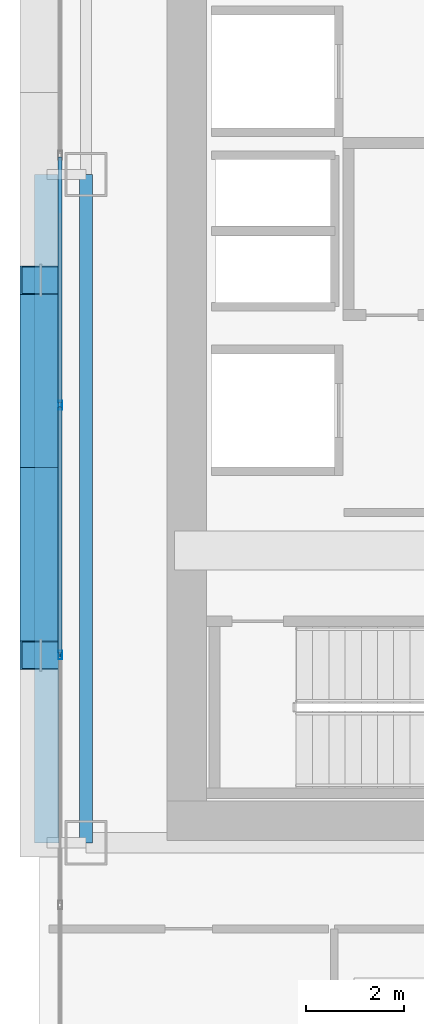
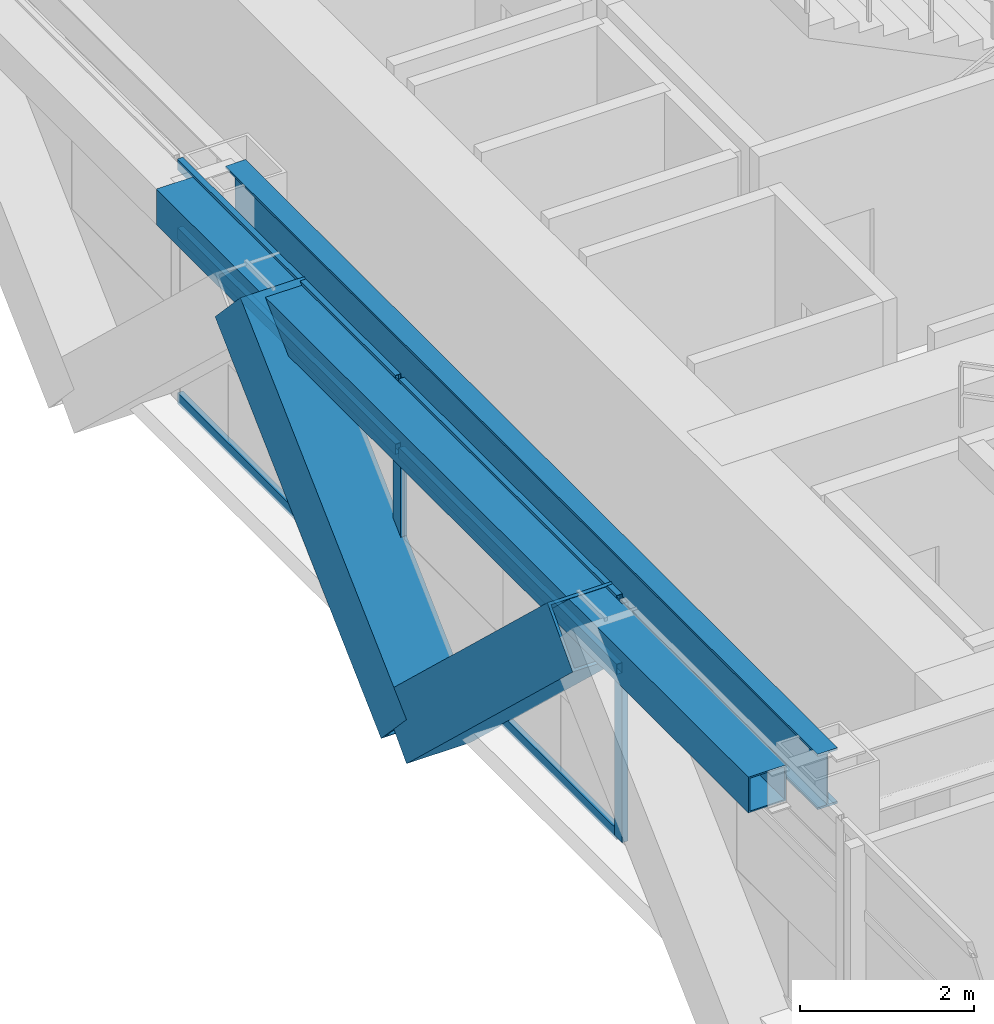
# One storey, part 6 of 35: 10 members, 2 beams, 1 element without a shape of its own.
"""IFC4 building model written with IfcOpenShell, lengths in metres."""

from ifc_helpers import new_model, si_unit, direction, frame, origin, origin_2d, place, context, subcontext, project, spatial, hollow_rectangle, i_section, extrude, source, transform, mapped, material, layer, layer_set, material_profile, profile_set, type_object, element, aggregate, save


model = new_model("IFC4")

# Units and contexts
model_context = context("Model", 3, precision=1e-05, world=origin(), true_north=direction((0.0, 1.0)))
body_context = subcontext(model_context, "Body", "Model", "MODEL_VIEW")
ifc_project = project(units=[si_unit("LENGTHUNIT", "METRE"), si_unit("AREAUNIT", "SQUARE_METRE"), si_unit("VOLUMEUNIT", "CUBIC_METRE"), si_unit("PLANEANGLEUNIT", "RADIAN"), si_unit("MASSUNIT", "GRAM", prefix="KILO")], contexts=[model_context])

# Site, building, storey
site_placement = place(None, origin())
site = spatial("IfcSite", under=ifc_project, at=site_placement, CompositionType="ELEMENT")
building_placement = place(site_placement, origin())
building = spatial("IfcBuilding", under=site, at=building_placement, Name="Ocotamira Hotel", CompositionType="ELEMENT")
storey_placement = place(building_placement, frame((0.0, 0.0, 70.800048828125)))
storey = spatial("IfcBuildingStorey", under=building, at=storey_placement, Name="L17", CompositionType="ELEMENT", Elevation=70.800048828125)

# Beams
ifc_material_1 = material(Name="Steel ASTM A992 Grade 50", Category="steel")
ifc_material_profile_1 = material_profile(ifc_material_1, i_section(OverallWidth=0.26611328125, OverallDepth=0.779052734375, WebThickness=0.0166015625, FlangeThickness=0.030029296875, FilletRadius=0.01806640625, at=origin_2d()), Name="W30X148")
ifc_profile_set_1 = profile_set([ifc_material_profile_1], Name="Steel ASTM A992 Grade 50")
beam_type_1 = type_object("IfcBeamType", Name="BM-GIRD-W30X148", PredefinedType="BEAM", material=ifc_profile_set_1)
shared_shape_1 = source(origin(), body_context, "Body", "SweptSolid", [
    extrude(i_section(OverallWidth=0.26611328125, OverallDepth=0.779052734375, WebThickness=0.0166015625, FlangeThickness=0.030029296875, FilletRadius=0.01806640625, at=origin_2d()), origin(), (0.0, 0.0, 1.0), 13.599853515625),
])
beam_1_placement = place(storey_placement, frame((8.949951171875, 14.550048828125, 2.96044921875), z_axis=(0.0, 1.0, 0.0), x_axis=(-1.0, 0.0, 0.0)))
element("IfcBeam", 1, at=beam_1_placement, inside=storey, type_object=beam_type_1, Name="L17 Beam X8.95 Y14.55-28.15", PredefinedType="BEAM", context=body_context, shape_type="MappedRepresentation", body=[
    mapped(shared_shape_1, transform((0.0, 0.0, 0.0), scale=1.0)),
])
ifc_material_2 = material(Name="Steel ASTM A500 Grade C", Category="steel")
ifc_material_profile_2 = material_profile(ifc_material_2, hollow_rectangle(XDim=0.5, YDim=0.5, WallThickness=0.02001953125, at=origin_2d()), Name="HSS500X500X20")
ifc_profile_set_2 = profile_set([ifc_material_profile_2], Name="Steel ASTM A500 Grade C")
beam_type_2 = type_object("IfcBeamType", Name="BM-SPAN-HSS500", PredefinedType="USERDEFINED", material=ifc_profile_set_2)
shared_shape_2 = source(origin(), body_context, "Body", "SweptSolid", [
    extrude(hollow_rectangle(XDim=0.5, YDim=0.5, WallThickness=0.02001953125, at=origin_2d()), origin(), (0.0, 0.0, 1.0), 13.599853515625),
])
beam_2_placement = place(storey_placement, frame((8.14990234375, 14.550048828125, 3.099853515625), z_axis=(0.0, 1.0, 0.0), x_axis=(-1.0, 0.0, 0.0)))
element("IfcBeam", 2, at=beam_2_placement, inside=storey, type_object=beam_type_2, Name="L17 Edge Spandrel W Y14.55-28.15", ObjectType="SPANDREL", PredefinedType="USERDEFINED", context=body_context, shape_type="MappedRepresentation", body=[
    mapped(shared_shape_2, transform((0.0, 0.0, 0.0), scale=1.0)),
])

# Members
ifc_material_3 = material(Name="Pale-metal coated steel ASTM A913 Grade 65", Category="steel")
ifc_material_profile_3 = material_profile(ifc_material_3, hollow_rectangle(XDim=0.85009765625, YDim=0.85009765625, WallThickness=0.035888671875, at=origin_2d()), Name="BOX850X850X36")
ifc_profile_set_3 = profile_set([ifc_material_profile_3], Name="Pale-metal coated steel ASTM A913 Grade 65")
member_type_1 = type_object("IfcMemberType", Name="MEM-EXO-BOX850", PredefinedType="BRACE", material=ifc_profile_set_3)
shared_shape_3 = source(origin(), body_context, "Body", "SweptSolid", [
    extrude(hollow_rectangle(XDim=0.85009765625, YDim=0.85009765625, WallThickness=0.035888671875, at=origin_2d()), origin(), (0.0, 0.0, 1.0), 5.24658203125),
])
for number, where, z_axis, x_axis, name in (
    (3, (8.030029296875, 22.183349609375, -0.5), (0.0, -0.72746596067, 0.686143772154), (1.0, 0.0, 0.0), "L17 Exoskeleton Diagrid W0.2"),
    (4, (8.030029296875, 22.183349609375, -0.5), (0.0, 0.72746596067, 0.686143772154), (-1.0, 0.0, 0.0), "L17 Exoskeleton Diagrid W1.1"),
):
    element("IfcMember", number, at=place(storey_placement, frame(where, z_axis=z_axis, x_axis=x_axis)), inside=storey, type_object=member_type_1, Name=name, PredefinedType="BRACE", context=body_context, shape_type="MappedRepresentation", body=[
        mapped(shared_shape_3, transform((0.0, 0.0, 0.0), scale=1.0)),
    ])

# Curtain wall, members
ifc_material_4 = material(Name="Anodised pale-metal aluminium and solar glass", Category="aluminium")
ifc_layer = layer(ifc_material_4, 0.179931640625)
ifc_layer_set = layer_set([ifc_layer], Name="Anodised pale-metal aluminium and solar glass")
curtain_wall_type = type_object("IfcCurtainWallType", Name="CW-SYS2-Z1", PredefinedType="NOTDEFINED", material=ifc_layer_set)
curtain_wall_placement = place(storey_placement, origin())
curtain_wall = element("IfcCurtainWall", 5, at=curtain_wall_placement, inside=storey, type_object=curtain_wall_type, Name="L17 Curtain Wall CW-2 CW-L17-W", PredefinedType="NOTDEFINED")
ifc_material_5 = material(Name="Anodised pale-metal aluminium 6063-T6", Category="aluminium")
ifc_material_profile_4 = material_profile(ifc_material_5, hollow_rectangle(XDim=0.080078125, YDim=0.179931640625, WallThickness=0.006103515625, at=origin_2d()), Name="HSS180X80X6")
ifc_profile_set_4 = profile_set([ifc_material_profile_4], Name="Anodised pale-metal aluminium 6063-T6")
member_type_2 = type_object("IfcMemberType", Name="CWM-180X75", PredefinedType="MULLION", material=ifc_profile_set_4)
shared_shape_4 = source(origin(), body_context, "Body", "SweptSolid", [
    extrude(hollow_rectangle(XDim=0.080078125, YDim=0.179931640625, WallThickness=0.006103515625, at=origin_2d()), origin(), (0.0, 0.0, 1.0), 3.349853515625),
])
member_1_placement = place(storey_placement, frame((8.419921875, 18.371337890625, 0.0), z_axis=(0.0, 0.0, 1.0), x_axis=(-1.0, 0.0, 0.0)))
member_1 = element("IfcMember", 6, at=member_1_placement, type_object=member_type_2, Name="CW-2 mullion 3", PredefinedType="MULLION", context=body_context, shape_type="MappedRepresentation", body=[
    mapped(shared_shape_4, transform((0.0, 0.0, 0.0), scale=1.0)),
])
member_2_placement = place(storey_placement, frame((8.419921875, 23.45703125, 0.0), z_axis=(0.0, 0.0, 1.0), x_axis=(-1.0, 0.0, 0.0)))
member_2 = element("IfcMember", 7, at=member_2_placement, type_object=member_type_2, Name="CW-2 mullion 4", PredefinedType="MULLION", context=body_context, shape_type="MappedRepresentation", body=[
    mapped(shared_shape_4, transform((0.0, 0.0, 0.0), scale=1.0)),
])
ifc_material_profile_5 = material_profile(ifc_material_5, hollow_rectangle(XDim=0.074951171875, YDim=0.14990234375, WallThickness=0.006103515625, at=origin_2d()), Name="HSS150X75X6")
ifc_profile_set_5 = profile_set([ifc_material_profile_5], Name="Anodised pale-metal aluminium 6063-T6")
member_type_3 = type_object("IfcMemberType", Name="CWT-150X75", PredefinedType="USERDEFINED", material=ifc_profile_set_5)
shared_shape_5 = source(origin(), body_context, "Body", "SweptSolid", [
    extrude(hollow_rectangle(XDim=0.074951171875, YDim=0.14990234375, WallThickness=0.006103515625, at=origin_2d()), origin(), (0.0, 0.0, 1.0), 5.005859375),
])
member_3_placement = place(storey_placement, frame((8.419921875, 18.411376953125, 0.037353515625), z_axis=(0.0, 1.0, 0.0), x_axis=(-1.0, 0.0, 0.0)))
member_3 = element("IfcMember", 8, at=member_3_placement, type_object=member_type_3, Name="CW-2 transom 3.1", ObjectType="TRANSOM", PredefinedType="USERDEFINED", context=body_context, shape_type="MappedRepresentation", body=[
    mapped(shared_shape_5, transform((0.0, 0.0, 0.0), scale=1.0)),
])
member_4_placement = place(storey_placement, frame((8.419921875, 18.411376953125, 2.349853515625), z_axis=(0.0, 1.0, 0.0), x_axis=(-1.0, 0.0, 0.0)))
member_4 = element("IfcMember", 9, at=member_4_placement, type_object=member_type_3, Name="CW-2 transom 3.2", ObjectType="TRANSOM", PredefinedType="USERDEFINED", context=body_context, shape_type="MappedRepresentation", body=[
    mapped(shared_shape_5, transform((0.0, 0.0, 0.0), scale=1.0)),
])
member_5_placement = place(storey_placement, frame((8.419921875, 18.411376953125, 3.3125), z_axis=(0.0, 1.0, 0.0), x_axis=(-1.0, 0.0, 0.0)))
member_5 = element("IfcMember", 10, at=member_5_placement, type_object=member_type_3, Name="CW-2 transom 3.3", ObjectType="TRANSOM", PredefinedType="USERDEFINED", context=body_context, shape_type="MappedRepresentation", body=[
    mapped(shared_shape_5, transform((0.0, 0.0, 0.0), scale=1.0)),
])
member_6_placement = place(storey_placement, frame((8.419921875, 23.4970703125, 0.037353515625), z_axis=(0.0, 1.0, 0.0), x_axis=(-1.0, 0.0, 0.0)))
member_6 = element("IfcMember", 11, at=member_6_placement, type_object=member_type_3, Name="CW-2 transom 4.1", ObjectType="TRANSOM", PredefinedType="USERDEFINED", context=body_context, shape_type="MappedRepresentation", body=[
    mapped(shared_shape_5, transform((0.0, 0.0, 0.0), scale=1.0)),
])
member_7_placement = place(storey_placement, frame((8.419921875, 23.4970703125, 2.349853515625), z_axis=(0.0, 1.0, 0.0), x_axis=(-1.0, 0.0, 0.0)))
member_7 = element("IfcMember", 12, at=member_7_placement, type_object=member_type_3, Name="CW-2 transom 4.2", ObjectType="TRANSOM", PredefinedType="USERDEFINED", context=body_context, shape_type="MappedRepresentation", body=[
    mapped(shared_shape_5, transform((0.0, 0.0, 0.0), scale=1.0)),
])
member_8_placement = place(storey_placement, frame((8.419921875, 23.4970703125, 3.3125), z_axis=(0.0, 1.0, 0.0), x_axis=(-1.0, 0.0, 0.0)))
member_8 = element("IfcMember", 13, at=member_8_placement, type_object=member_type_3, Name="CW-2 transom 4.3", ObjectType="TRANSOM", PredefinedType="USERDEFINED", context=body_context, shape_type="MappedRepresentation", body=[
    mapped(shared_shape_5, transform((0.0, 0.0, 0.0), scale=1.0)),
])
aggregate(curtain_wall, [member_1, member_2, member_3, member_4, member_5, member_6, member_7, member_8])

save(model, "model.ifc")
